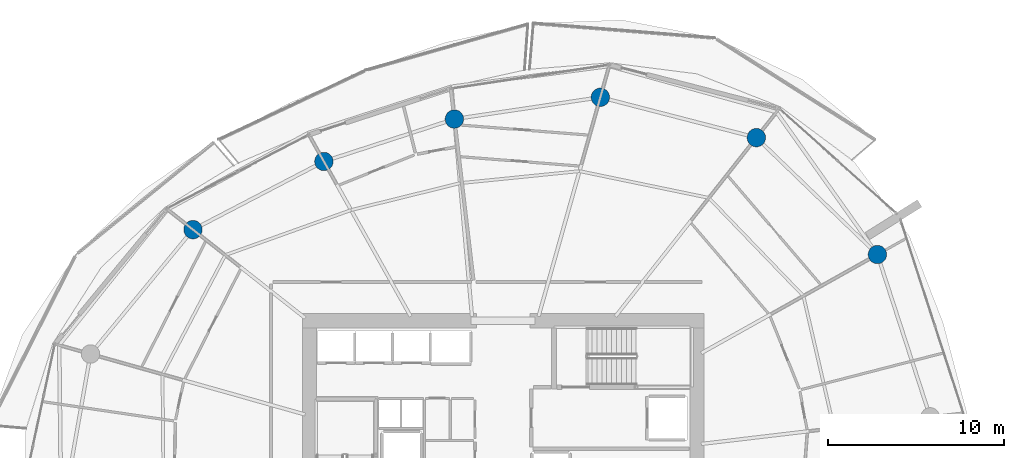
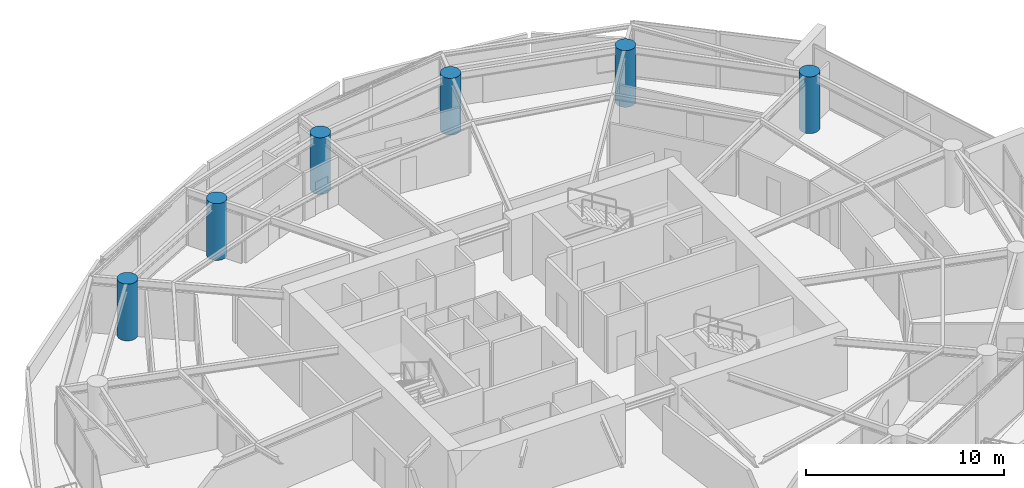
# One storey, part 4 of 20: 6 columns.
"""IFC4 building model written with IfcOpenShell, lengths in metres."""

from ifc_helpers import new_model, si_unit, direction, frame, origin, origin_2d, place, context, subcontext, project, spatial, circle, extrude, material, material_profile, profile_set, type_object, element, save


model = new_model("IFC4")

# Units and contexts
model_context = context("Model", 3, precision=1e-05, world=origin(), true_north=direction((0.0, 1.0)))
body_context = subcontext(model_context, "Body", "Model", "MODEL_VIEW")
ifc_project = project(units=[si_unit("LENGTHUNIT", "METRE"), si_unit("AREAUNIT", "SQUARE_METRE"), si_unit("VOLUMEUNIT", "CUBIC_METRE"), si_unit("PLANEANGLEUNIT", "RADIAN"), si_unit("MASSUNIT", "GRAM", prefix="KILO")], contexts=[model_context])

# Site, building, storey
site_placement = place(None, origin())
site = spatial("IfcSite", under=ifc_project, at=site_placement, CompositionType="ELEMENT")
building_placement = place(site_placement, origin())
building = spatial("IfcBuilding", under=site, at=building_placement, Name="Kazma Halo Residences", CompositionType="ELEMENT")
storey_placement = place(building_placement, frame((0.0, 0.0, 157.800048828125)))
storey = spatial("IfcBuildingStorey", under=building, at=storey_placement, Name="L39", CompositionType="ELEMENT", Elevation=157.800048828125)

# Columns
ifc_material = material(Name="Concrete C80/95", Category="concrete")
ifc_material_profile = material_profile(ifc_material, circle(Radius=0.52490234375, at=origin_2d()), Name="CIRC1050")
ifc_profile_set = profile_set([ifc_material_profile], Name="Concrete C80/95")
column_type = type_object("IfcColumnType", Name="COL-PERIM-1050", PredefinedType="COLUMN", material=ifc_profile_set)
for number, where, z_axis, x_axis, name in (
    (1, (69.730224609375, 54.16943359375, 0.0), (0.0, 0.0, 1.0), (1.0, 0.0, 0.0), "L39 perimeter ring column P01"),
    (2, (62.839599609375, 60.82373046875, 0.0), (0.0, 0.0, 1.0), (1.0, 0.0, 0.0), "L39 perimeter ring column P02"),
    (3, (53.95703125, 63.121826171875, 0.0), (0.0, 0.0, 1.0), (1.0, 0.0, 0.0), "L39 perimeter ring column P03"),
    (4, (45.64697265625, 61.881103515625, 0.0), (0.0, 0.0, 1.0), (1.0, 0.0, 0.0), "L39 perimeter ring column P04"),
    (5, (38.218017578125, 59.46728515625, 0.0), (0.0, 0.0, 1.0), (1.0, 0.0, 0.0), "L39 perimeter ring column P05"),
    (6, (30.765625, 55.58642578125, 0.0), (0.0, 0.0, 1.0), (1.0, 0.0, 0.0), "L39 perimeter ring column P06"),
):
    element("IfcColumn", number, at=place(storey_placement, frame(where, z_axis=z_axis, x_axis=x_axis)), inside=storey, type_object=column_type, Name=name, PredefinedType="COLUMN", context=body_context, shape_type="SweptSolid", body=[
        extrude(circle(Radius=0.52490234375, at=origin_2d()), origin(), (0.0, 0.0, 1.0), 3.5),
    ])

save(model, "model.ifc")
